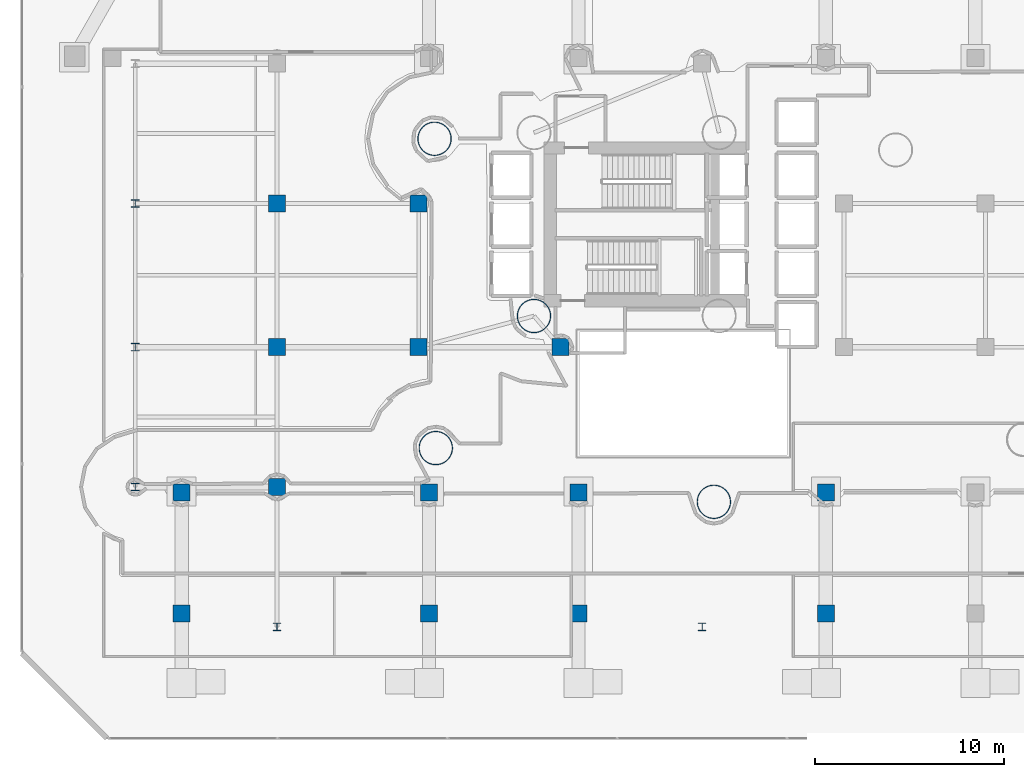
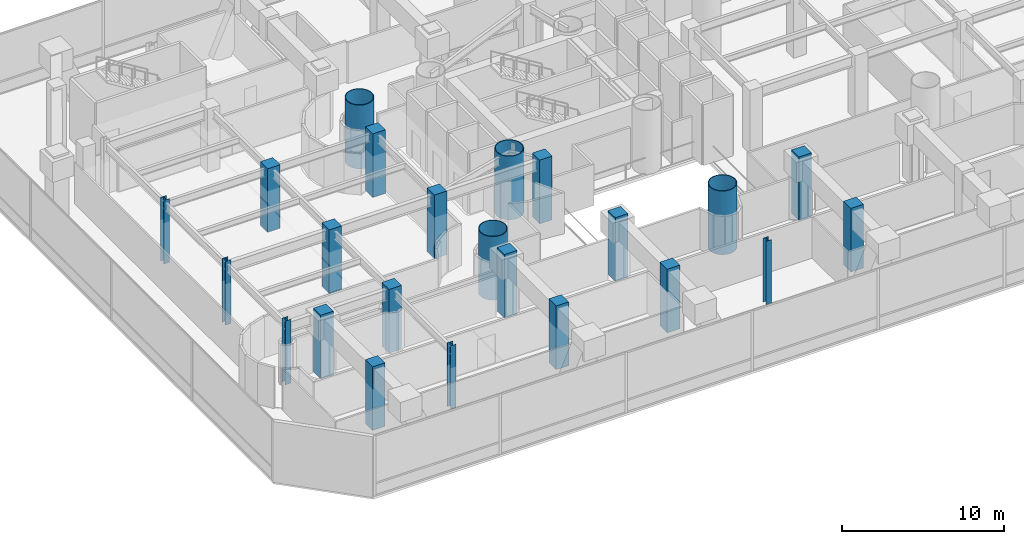
# One storey, part 1 of 45: 23 columns.
"""IFC4 building model written with IfcOpenShell, lengths in metres."""

from ifc_helpers import new_model, si_unit, direction, frame, origin, origin_2d, place, context, subcontext, project, spatial, rectangle, hollow_circle, i_section, extrude, material, material_profile, profile_set, type_object, element, save


model = new_model("IFC4")

# Units and contexts
model_context = context("Model", 3, precision=1e-05, world=origin(), true_north=direction((0.0, 1.0)))
body_context = subcontext(model_context, "Body", "Model", "MODEL_VIEW")
ifc_project = project(units=[si_unit("LENGTHUNIT", "METRE"), si_unit("AREAUNIT", "SQUARE_METRE"), si_unit("VOLUMEUNIT", "CUBIC_METRE"), si_unit("PLANEANGLEUNIT", "RADIAN"), si_unit("MASSUNIT", "GRAM", prefix="KILO")], contexts=[model_context])

# Site, building, storey
site_placement = place(None, origin())
site = spatial("IfcSite", under=ifc_project, at=site_placement, CompositionType="ELEMENT")
building_placement = place(site_placement, origin())
building = spatial("IfcBuilding", under=site, at=building_placement, Name="Qianvela Tower", CompositionType="ELEMENT")
storey_placement = place(building_placement, frame((0.0, 0.0, 11.0)))
storey = spatial("IfcBuildingStorey", under=building, at=storey_placement, Name="L02", CompositionType="ELEMENT", Elevation=11.0)

# Columns
ifc_material_1 = material(Name="Steel Q420GJC", Category="steel")
ifc_material_profile_1 = material_profile(ifc_material_1, hollow_circle(Radius=0.89990234375, WallThickness=0.044921875, at=origin_2d()), Name="CFT-1800x45")
ifc_profile_set_1 = profile_set([ifc_material_profile_1], Name="Steel Q420GJC")
column_type_1 = type_object("IfcColumnType", Name="COL-CFT-1800x45", PredefinedType="COLUMN", material=ifc_profile_set_1)
for number, where, z_axis, x_axis, name in (
    (1, (28.60009765625, 23.85009765625, 0.0), (0.0, 0.0, 1.0), (1.0, 0.0, 0.0), "L02 Core Corner Mega-Column CC-SW"),
    (2, (23.337890625, 33.22802734375, 0.0), (0.0, 0.0, 1.0), (1.0, 0.0, 0.0), "L02 Tower Base CFT Mega-Column C4"),
    (3, (23.404052734375, 16.860107421875, 0.0), (0.0, 0.0, 1.0), (1.0, 0.0, 0.0), "L02 Tower Base CFT Mega-Column C5"),
    (4, (38.1201171875, 14.01611328125, 0.0), (0.0, 0.0, 1.0), (1.0, 0.0, 0.0), "L02 Tower Base CFT Mega-Column C6"),
):
    element("IfcColumn", number, at=place(storey_placement, frame(where, z_axis=z_axis, x_axis=x_axis)), inside=storey, type_object=column_type_1, Name=name, PredefinedType="COLUMN", context=body_context, shape_type="SweptSolid", body=[
        extrude(hollow_circle(Radius=0.89990234375, WallThickness=0.044921875, at=origin_2d()), origin(), (0.0, 0.0, 1.0), 4.800048828125),
    ])
ifc_material_2 = material(Name="Steel Q355B", Category="steel")
ifc_material_profile_2 = material_profile(ifc_material_2, i_section(OverallWidth=0.39990234375, OverallDepth=0.39990234375, WebThickness=0.012939453125, FlangeThickness=0.02099609375, at=origin_2d()), Name="HW400x400x13x21")
ifc_profile_set_2 = profile_set([ifc_material_profile_2], Name="Steel Q355B")
column_type_2 = type_object("IfcColumnType", Name="COL-HW-400", PredefinedType="COLUMN", material=ifc_profile_set_2)
for number, where, z_axis, x_axis, name in (
    (5, (7.5, 14.800048828125, 0.0), (0.0, 0.0, 1.0), (1.0, 0.0, 0.0), "L02 Podium Grid Column P01"),
    (6, (7.5, 22.199951171875, 0.0), (0.0, 0.0, 1.0), (1.0, 0.0, 0.0), "L02 Podium Grid Column P02"),
    (7, (7.5, 29.800048828125, 0.0), (0.0, 0.0, 1.0), (1.0, 0.0, 0.0), "L02 Podium Grid Column P03"),
    (8, (15.0, 7.39990234375, 0.0), (0.0, 0.0, 1.0), (1.0, 0.0, 0.0), "L02 Podium Grid Column P05"),
    (9, (37.5, 7.39990234375, 0.0), (0.0, 0.0, 1.0), (1.0, 0.0, 0.0), "L02 Podium Grid Column P22"),
):
    element("IfcColumn", number, at=place(storey_placement, frame(where, z_axis=z_axis, x_axis=x_axis)), inside=storey, type_object=column_type_2, Name=name, PredefinedType="COLUMN", context=body_context, shape_type="SweptSolid", body=[
        extrude(i_section(OverallWidth=0.39990234375, OverallDepth=0.39990234375, WebThickness=0.012939453125, FlangeThickness=0.02099609375, at=origin_2d()), origin(), (0.0, 0.0, 1.0), 4.800048828125),
    ])
ifc_material_3 = material(Name="Concrete C60", Category="concrete")
ifc_material_profile_3 = material_profile(ifc_material_3, rectangle(XDim=0.89990234375, YDim=0.89990234375, at=origin_2d()), Name="RC-COL-900x900")
ifc_profile_set_3 = profile_set([ifc_material_profile_3], Name="Concrete C60")
column_type_3 = type_object("IfcColumnType", Name="COL-RC-900", PredefinedType="COLUMN", material=ifc_profile_set_3)
for number, where, z_axis, x_axis, name in (
    (10, (9.955322265625, 8.10009765625, 0.0), (0.0, 0.0, 1.0), (1.0, 0.0, 0.0), "L02 Concourse Colonnade Column VC-S1-L-B1"),
    (11, (9.955322265625, 14.5, 0.0), (0.0, 0.0, 1.0), (1.0, 0.0, 0.0), "L02 Concourse Colonnade Column VC-S1-L-B2"),
    (12, (23.044677734375, 8.10009765625, 0.0), (0.0, 0.0, 1.0), (1.0, 0.0, 0.0), "L02 Concourse Colonnade Column VC-S1-R-B1"),
    (13, (23.044677734375, 14.5, 0.0), (0.0, 0.0, 1.0), (1.0, 0.0, 0.0), "L02 Concourse Colonnade Column VC-S1-R-B2"),
    (14, (30.955322265625, 8.10009765625, 0.0), (0.0, 0.0, 1.0), (1.0, 0.0, 0.0), "L02 Concourse Colonnade Column VC-S2-L-B1"),
    (15, (30.955322265625, 14.5, 0.0), (0.0, 0.0, 1.0), (1.0, 0.0, 0.0), "L02 Concourse Colonnade Column VC-S2-L-B2"),
    (16, (44.044677734375, 8.10009765625, 0.0), (0.0, 0.0, 1.0), (1.0, 0.0, 0.0), "L02 Concourse Colonnade Column VC-S2-R-B1"),
    (17, (44.044677734375, 14.5, 0.0), (0.0, 0.0, 1.0), (1.0, 0.0, 0.0), "L02 Concourse Colonnade Column VC-S2-R-B2"),
    (18, (15.0, 14.800048828125, 0.0), (0.0, 0.0, 1.0), (1.0, 0.0, 0.0), "L02 Podium Grid Column P06"),
    (19, (15.0, 22.199951171875, 0.0), (0.0, 0.0, 1.0), (1.0, 0.0, 0.0), "L02 Podium Grid Column P07"),
    (20, (15.0, 29.800048828125, 0.0), (0.0, 0.0, 1.0), (1.0, 0.0, 0.0), "L02 Podium Grid Column P08"),
    (21, (22.5, 22.199951171875, 0.0), (0.0, 0.0, 1.0), (1.0, 0.0, 0.0), "L02 Podium Grid Column P13"),
    (22, (22.5, 29.800048828125, 0.0), (0.0, 0.0, 1.0), (1.0, 0.0, 0.0), "L02 Podium Grid Column P14"),
    (23, (30.0, 22.199951171875, 0.0), (0.0, 0.0, 1.0), (1.0, 0.0, 0.0), "L02 Podium Grid Column P19"),
):
    element("IfcColumn", number, at=place(storey_placement, frame(where, z_axis=z_axis, x_axis=x_axis)), inside=storey, type_object=column_type_3, Name=name, PredefinedType="COLUMN", context=body_context, shape_type="SweptSolid", body=[
        extrude(rectangle(XDim=0.89990234375, YDim=0.89990234375, at=origin_2d()), origin(), (0.0, 0.0, 1.0), 4.800048828125),
    ])

save(model, "model.ifc")
